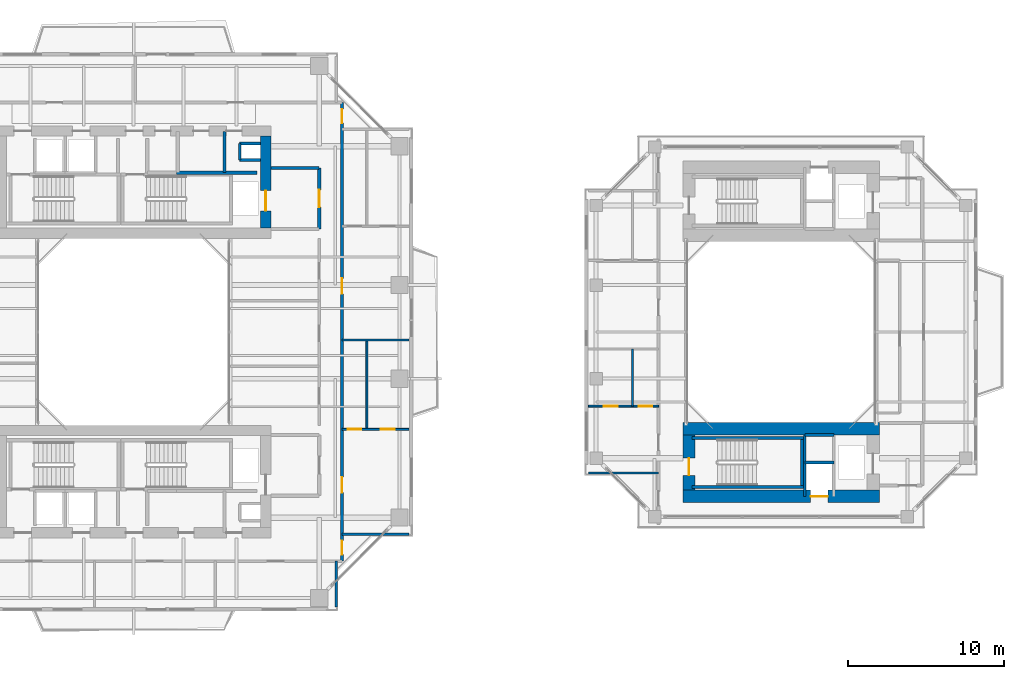
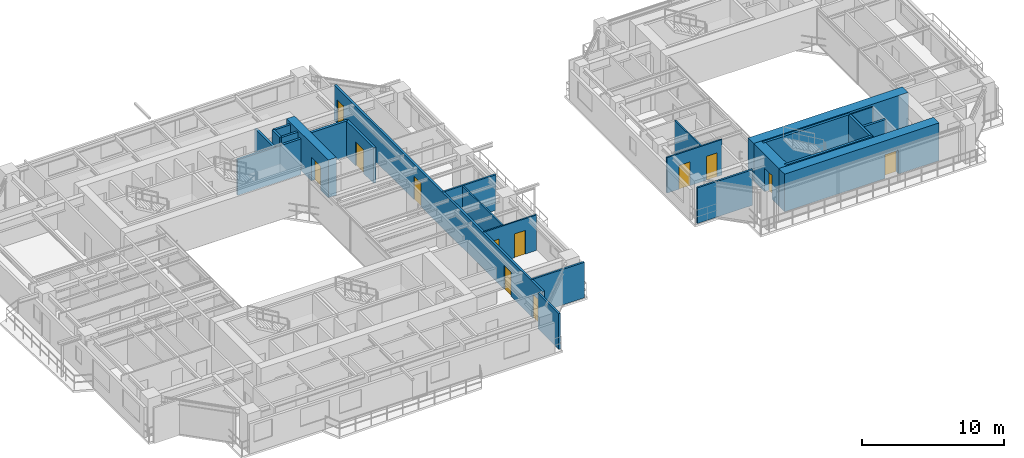
# One storey, part 17 of 24: 26 walls, 12 doors, 12 openings.
"""IFC4 building model written with IfcOpenShell, lengths in metres."""

from ifc_helpers import new_model, si_unit, direction, frame, frame_2d, origin, place, context, subcontext, project, spatial, rectangle, extrude, source, transform, mapped, material, layer, layer_set, type_object, element, fill, save


model = new_model("IFC4")

# Units and contexts
model_context = context("Model", 3, precision=1e-05, world=origin(), true_north=direction((0.0, 1.0)))
body_context = subcontext(model_context, "Body", "Model", "MODEL_VIEW")
ifc_project = project(units=[si_unit("LENGTHUNIT", "METRE"), si_unit("AREAUNIT", "SQUARE_METRE"), si_unit("VOLUMEUNIT", "CUBIC_METRE"), si_unit("PLANEANGLEUNIT", "RADIAN"), si_unit("MASSUNIT", "GRAM", prefix="KILO"), si_unit("THERMODYNAMICTEMPERATUREUNIT", "KELVIN"), si_unit("POWERUNIT", "WATT")], contexts=[model_context])

# Site, building, storey
site_placement = place(None, origin())
site = spatial("IfcSite", under=ifc_project, at=site_placement, CompositionType="ELEMENT")
building_placement = place(site_placement, origin())
building = spatial("IfcBuilding", under=site, at=building_placement, Name="Qiaomeng Ring Towers", CompositionType="ELEMENT")
storey_placement = place(building_placement, frame((0.0, 0.0, 106.75)))
storey = spatial("IfcBuildingStorey", under=building, at=storey_placement, Name="L30", CompositionType="ELEMENT", Elevation=106.75)

# Wall
ifc_material_1 = material(Name="Autoclaved aerated concrete block", Category="concrete")
ifc_layer_1 = layer(ifc_material_1, 0.199951171875, Name="Autoclaved aerated concrete block")
ifc_layer_set_1 = layer_set([ifc_layer_1], Name="Autoclaved aerated concrete block")
wall_type_1 = type_object("IfcWallType", Name="ARC-WL-PW1", PredefinedType="PARTITIONING", material=ifc_layer_set_1)
wall_1_placement = place(storey_placement, frame((27.800048828125, 33.5, 0.0), z_axis=(0.0, 0.0, 1.0), x_axis=(1.0, 0.0, 0.0)))
element("IfcWall", 1, at=wall_1_placement, inside=storey, type_object=wall_type_1, Name="L30 Interior Wall PW1", PredefinedType="PARTITIONING", context=body_context, shape_type="SweptSolid", body=[
    extrude(rectangle(XDim=3.099853515625, YDim=0.199951171875, at=frame_2d((1.5498046875, 0.0))), origin(), (0.0, 0.0, 1.0), 3.070068359375),
])

# Wall, opening, door
wall_2_placement = place(storey_placement, frame((30.89990234375, 29.60009765625, 0.0), z_axis=(0.0, 0.0, 1.0), x_axis=(0.0, 1.0, 0.0)))
wall_2 = element("IfcWall", 2, at=wall_2_placement, inside=storey, type_object=wall_type_1, Name="L30 Interior Wall PW1", PredefinedType="PARTITIONING", context=body_context, shape_type="SweptSolid", body=[
    extrude(rectangle(XDim=3.89990234375, YDim=0.199951171875, at=frame_2d((1.949951171875, 0.0))), origin(), (0.0, 0.0, 1.0), 3.070068359375),
])
opening_1_placement = place(wall_2_placement, frame((1.39990234375, 0.0, 0.0)))
opening_1 = element("IfcOpeningElement", 3, at=opening_1_placement, cuts=wall_2, Name="Opening FD3", PredefinedType="OPENING", context=body_context, shape_type="SweptSolid", body=[
    extrude(rectangle(XDim=1.10009765625, YDim=2.050048828125, at=frame_2d((0.550048828125, 1.02490234375))), frame((0.0, 0.10986328125, 0.0), z_axis=(0.0, -1.0, 0.0), x_axis=(1.0, 0.0, 0.0)), (0.0, 0.0, 1.0), 0.219970703125),
])
ifc_material_2 = material(Name="Galvanised steel", Category="steel")
door_type_1 = type_object("IfcDoorType", Name="ARC-DR-FD3", OperationType="NOTDEFINED", PredefinedType="DOOR", material=ifc_material_2)
shared_shape_1 = source(origin(), body_context, "Body", "SweptSolid", [
    extrude(rectangle(XDim=1.10009765625, YDim=2.050048828125, at=frame_2d((0.550048828125, 1.02490234375))), frame((0.0, 0.02490234375, 0.0), z_axis=(0.0, -1.0, 0.0), x_axis=(1.0, 0.0, 0.0)), (0.0, 0.0, 1.0), 0.050048828125),
])
door_1_placement = place(opening_1_placement, origin())
door_1 = element("IfcDoor", 4, at=door_1_placement, inside=storey, type_object=door_type_1, Name="L30 North FF Lobby Door", OperationType="SINGLE_SWING_LEFT", OverallHeight=2.050048828125, OverallWidth=1.10009765625, PredefinedType="DOOR", context=body_context, shape_type="MappedRepresentation", body=[
    mapped(shared_shape_1, transform((0.0, 0.0, 0.0), x_axis=(1.0, 0.0, 0.0), y_axis=(0.0, 1.0, 0.0), z_axis=(0.0, 0.0, 1.0), scale=1.0)),
])
fill(opening_1, door_1)

# Walls
wall_3_placement = place(storey_placement, frame((24.820068359375, 33.199951171875, 0.0), z_axis=(0.0, 0.0, 1.0), x_axis=(0.0, 1.0, 0.0)))
element("IfcWall", 5, at=wall_3_placement, inside=storey, type_object=wall_type_1, Name="L30 Interior Wall PW1", PredefinedType="PARTITIONING", context=body_context, shape_type="SweptSolid", body=[
    extrude(rectangle(XDim=2.650146484375, YDim=0.199951171875, at=frame_2d((1.3251953125, 0.0))), origin(), (0.0, 0.0, 1.0), 3.070068359375),
])
wall_4_placement = place(storey_placement, frame((21.75, 33.199951171875, 0.0), z_axis=(0.0, 0.0, 1.0), x_axis=(1.0, 0.0, 0.0)))
element("IfcWall", 6, at=wall_4_placement, inside=storey, type_object=wall_type_1, Name="L30 Interior Wall PW1", PredefinedType="PARTITIONING", context=body_context, shape_type="SweptSolid", body=[
    extrude(rectangle(XDim=5.169921875, YDim=0.199951171875, at=frame_2d((2.5849609375, 0.0))), origin(), (0.0, 0.0, 1.0), 3.070068359375),
])

# Wall, openings, doors
ifc_layer_2 = layer(ifc_material_1, 0.179931640625, Name="Autoclaved aerated concrete block")
ifc_layer_set_2 = layer_set([ifc_layer_2], Name="Autoclaved aerated concrete block")
wall_type_2 = type_object("IfcWallType", Name="ARC-WL-PW2", PredefinedType="PARTITIONING", material=ifc_layer_set_2)
wall_5_placement = place(storey_placement, frame((32.360107421875, 8.300048828125, 0.0), z_axis=(0.0, 0.0, 1.0), x_axis=(0.0, 1.0, 0.0)))
wall_5 = element("IfcWall", 7, at=wall_5_placement, inside=storey, type_object=wall_type_2, Name="L30 Interior Wall PW2", PredefinedType="PARTITIONING", context=body_context, shape_type="SweptSolid", body=[
    extrude(rectangle(XDim=29.39990234375, YDim=0.179931640625, at=frame_2d((14.699951171875, 0.0))), origin(), (0.0, 0.0, 1.0), 3.070068359375),
])
opening_2_placement = place(wall_5_placement, frame((28.080078125, 0.0, 0.0)))
opening_2 = element("IfcOpeningElement", 8, at=opening_2_placement, cuts=wall_5, Name="Opening ID1", PredefinedType="OPENING", context=body_context, shape_type="SweptSolid", body=[
    extrude(rectangle(XDim=0.89990234375, YDim=2.050048828125, at=frame_2d((0.449951171875, 1.02490234375))), frame((0.0, 0.099853515625, 0.0), z_axis=(0.0, -1.0, 0.0), x_axis=(1.0, 0.0, 0.0)), (0.0, 0.0, 1.0), 0.199951171875),
])
opening_3_placement = place(wall_5_placement, frame((0.419921875, 0.0, 0.0)))
opening_3 = element("IfcOpeningElement", 9, at=opening_3_placement, cuts=wall_5, Name="Opening ID1", PredefinedType="OPENING", context=body_context, shape_type="SweptSolid", body=[
    extrude(rectangle(XDim=0.89990234375, YDim=2.050048828125, at=frame_2d((0.449951171875, 1.02490234375))), frame((0.0, 0.099853515625, 0.0), z_axis=(0.0, -1.0, 0.0), x_axis=(1.0, 0.0, 0.0)), (0.0, 0.0, 1.0), 0.199951171875),
])
opening_4_placement = place(wall_5_placement, frame((4.39501953125, 0.0, 0.0)))
opening_4 = element("IfcOpeningElement", 10, at=opening_4_placement, cuts=wall_5, Name="Opening FD4", PredefinedType="OPENING", context=body_context, shape_type="SweptSolid", body=[
    extrude(rectangle(XDim=1.0, YDim=2.050048828125, at=frame_2d((0.5, 1.02490234375))), frame((0.0, 0.099853515625, 0.0), z_axis=(0.0, -1.0, 0.0), x_axis=(1.0, 0.0, 0.0)), (0.0, 0.0, 1.0), 0.199951171875),
])
opening_5_placement = place(wall_5_placement, frame((17.135009765625, 0.0, 0.0)))
opening_5 = element("IfcOpeningElement", 11, at=opening_5_placement, cuts=wall_5, Name="Opening FD4", PredefinedType="OPENING", context=body_context, shape_type="SweptSolid", body=[
    extrude(rectangle(XDim=1.0, YDim=2.050048828125, at=frame_2d((0.5, 1.02490234375))), frame((0.0, 0.099853515625, 0.0), z_axis=(0.0, -1.0, 0.0), x_axis=(1.0, 0.0, 0.0)), (0.0, 0.0, 1.0), 0.199951171875),
])
ifc_material_3 = material(Name="Engineered fire-rated oak timber", Category="wood")
door_type_2 = type_object("IfcDoorType", Name="ARC-DR-FD4", OperationType="NOTDEFINED", PredefinedType="DOOR", material=ifc_material_3)
shared_shape_2 = source(origin(), body_context, "Body", "SweptSolid", [
    extrude(rectangle(XDim=1.0, YDim=2.050048828125, at=frame_2d((0.5, 1.02490234375))), frame((0.0, 0.02490234375, 0.0), z_axis=(0.0, -1.0, 0.0), x_axis=(1.0, 0.0, 0.0)), (0.0, 0.0, 1.0), 0.050048828125),
])
door_2_placement = place(opening_4_placement, origin())
door_2 = element("IfcDoor", 12, at=door_2_placement, inside=storey, type_object=door_type_2, Name="L30 Door FD4", OperationType="SINGLE_SWING_RIGHT", OverallHeight=2.050048828125, OverallWidth=1.0, PredefinedType="DOOR", context=body_context, shape_type="MappedRepresentation", body=[
    mapped(shared_shape_2, transform((0.0, 0.0, 0.0), x_axis=(1.0, 0.0, 0.0), y_axis=(0.0, 1.0, 0.0), z_axis=(0.0, 0.0, 1.0), scale=1.0)),
])
fill(opening_4, door_2)
door_3_placement = place(opening_5_placement, origin())
door_3 = element("IfcDoor", 13, at=door_3_placement, inside=storey, type_object=door_type_2, Name="L30 Door FD4", OperationType="SINGLE_SWING_LEFT", OverallHeight=2.050048828125, OverallWidth=1.0, PredefinedType="DOOR", context=body_context, shape_type="MappedRepresentation", body=[
    mapped(shared_shape_2, transform((0.0, 0.0, 0.0), x_axis=(1.0, 0.0, 0.0), y_axis=(0.0, 1.0, 0.0), z_axis=(0.0, 0.0, 1.0), scale=1.0)),
])
fill(opening_5, door_3)
ifc_material_4 = material(Name="Engineered oak timber", Category="wood")
door_type_3 = type_object("IfcDoorType", Name="ARC-DR-ID1", OperationType="NOTDEFINED", PredefinedType="DOOR", material=ifc_material_4)
shared_shape_3 = source(origin(), body_context, "Body", "SweptSolid", [
    extrude(rectangle(XDim=0.89990234375, YDim=2.050048828125, at=frame_2d((0.449951171875, 1.02490234375))), frame((0.0, 0.02490234375, 0.0), z_axis=(0.0, -1.0, 0.0), x_axis=(1.0, 0.0, 0.0)), (0.0, 0.0, 1.0), 0.050048828125),
])
door_4_placement = place(opening_2_placement, origin())
door_4 = element("IfcDoor", 14, at=door_4_placement, inside=storey, type_object=door_type_3, Name="L30 Door ID1", OperationType="SINGLE_SWING_RIGHT", OverallHeight=2.050048828125, OverallWidth=0.89990234375, PredefinedType="DOOR", context=body_context, shape_type="MappedRepresentation", body=[
    mapped(shared_shape_3, transform((0.0, 0.0, 0.0), x_axis=(1.0, 0.0, 0.0), y_axis=(0.0, 1.0, 0.0), z_axis=(0.0, 0.0, 1.0), scale=1.0)),
])
fill(opening_2, door_4)
door_5_placement = place(opening_3_placement, origin())
door_5 = element("IfcDoor", 15, at=door_5_placement, inside=storey, type_object=door_type_3, Name="L30 Door ID1", OperationType="SINGLE_SWING_LEFT", OverallHeight=2.050048828125, OverallWidth=0.89990234375, PredefinedType="DOOR", context=body_context, shape_type="MappedRepresentation", body=[
    mapped(shared_shape_3, transform((0.0, 0.0, 0.0), x_axis=(1.0, 0.0, 0.0), y_axis=(0.0, 1.0, 0.0), z_axis=(0.0, 0.0, 1.0), scale=1.0)),
])
fill(opening_3, door_5)

# Walls
ifc_material_5 = material(Name="Gypsum fireboard steel-stud partition", Category="steel")
ifc_layer_3 = layer(ifc_material_5, 0.14990234375, Name="Gypsum fireboard steel-stud partition")
ifc_layer_set_3 = layer_set([ifc_layer_3], Name="Gypsum fireboard steel-stud partition")
wall_type_3 = type_object("IfcWallType", Name="ARC-WL-PW3", PredefinedType="PARTITIONING", material=ifc_layer_set_3)
wall_6_placement = place(storey_placement, frame((31.97998046875, 5.35009765625, 0.0), z_axis=(0.0, 0.0, 1.0), x_axis=(0.0, 1.0, 0.0)))
element("IfcWall", 16, at=wall_6_placement, inside=storey, type_object=wall_type_3, Name="L30 Interior Wall PW3", PredefinedType="PARTITIONING", context=body_context, shape_type="SweptSolid", body=[
    extrude(rectangle(XDim=2.949951171875, YDim=0.14990234375, at=frame_2d((1.47509765625, 0.0))), origin(), (0.0, 0.0, 1.0), 3.070068359375),
])
for number, where, z_axis, x_axis, name in (
    (17, (32.360107421875, 10.02001953125, 0.0), (0.0, 0.0, 1.0), (1.0, 0.0, 0.0), "L30 Interior Wall PW3"),
    (18, (32.360107421875, 22.47998046875, 0.0), (0.0, 0.0, 1.0), (1.0, 0.0, 0.0), "L30 Interior Wall PW3"),
):
    element("IfcWall", number, at=place(storey_placement, frame(where, z_axis=z_axis, x_axis=x_axis)), inside=storey, type_object=wall_type_3, Name=name, PredefinedType="PARTITIONING", context=body_context, shape_type="SweptSolid", body=[
        extrude(rectangle(XDim=4.289794921875, YDim=0.14990234375, at=frame_2d((2.14501953125, 0.0))), origin(), (0.0, 0.0, 1.0), 3.070068359375),
    ])
wall_7_placement = place(storey_placement, frame((48.14990234375, 13.949951171875, 0.0), z_axis=(0.0, 0.0, 1.0), x_axis=(1.0, 0.0, 0.0)))
element("IfcWall", 19, at=wall_7_placement, inside=storey, type_object=wall_type_3, Name="L30 Interior Wall PW3", PredefinedType="PARTITIONING", context=body_context, shape_type="SweptSolid", body=[
    extrude(rectangle(XDim=4.5, YDim=0.14990234375, at=frame_2d((2.25, 0.0))), origin(), (0.0, 0.0, 1.0), 3.070068359375),
])

# Wall, openings, doors
ifc_material_6 = material(Name="Moisture-resistant gypsum steel-stud partition", Category="steel")
ifc_layer_4 = layer(ifc_material_6, 0.1201171875, Name="Moisture-resistant gypsum steel-stud partition")
ifc_layer_set_4 = layer_set([ifc_layer_4], Name="Moisture-resistant gypsum steel-stud partition")
wall_type_4 = type_object("IfcWallType", Name="ARC-WL-PW4", PredefinedType="PLUMBINGWALL", material=ifc_layer_set_4)
wall_8_placement = place(storey_placement, frame((32.360107421875, 16.75, 0.0), z_axis=(0.0, 0.0, 1.0), x_axis=(1.0, 0.0, 0.0)))
wall_8 = element("IfcWall", 20, at=wall_8_placement, inside=storey, type_object=wall_type_4, Name="L30 Interior Wall PW4", PredefinedType="PLUMBINGWALL", context=body_context, shape_type="SweptSolid", body=[
    extrude(rectangle(XDim=4.289794921875, YDim=0.1201171875, at=frame_2d((2.14501953125, 0.0))), origin(), (0.0, 0.0, 1.0), 3.070068359375),
])
opening_6_placement = place(wall_8_placement, frame((0.3798828125, 0.0, 0.0)))
opening_6 = element("IfcOpeningElement", 21, at=opening_6_placement, cuts=wall_8, Name="Opening ID2", PredefinedType="OPENING", context=body_context, shape_type="SweptSolid", body=[
    extrude(rectangle(XDim=0.85009765625, YDim=2.050048828125, at=frame_2d((0.425048828125, 1.02490234375))), frame((0.0, 0.070068359375, 0.0), z_axis=(0.0, -1.0, 0.0), x_axis=(1.0, 0.0, 0.0)), (0.0, 0.0, 1.0), 0.14013671875),
])
opening_7_placement = place(wall_8_placement, frame((2.47998046875, 0.0, 0.0)))
opening_7 = element("IfcOpeningElement", 22, at=opening_7_placement, cuts=wall_8, Name="Opening ID1", PredefinedType="OPENING", context=body_context, shape_type="SweptSolid", body=[
    extrude(rectangle(XDim=0.89990234375, YDim=2.050048828125, at=frame_2d((0.449951171875, 1.02490234375))), frame((0.0, 0.070068359375, 0.0), z_axis=(0.0, -1.0, 0.0), x_axis=(1.0, 0.0, 0.0)), (0.0, 0.0, 1.0), 0.14013671875),
])
ifc_material_7 = material(Name="Moisture-resistant engineered timber", Category="wood")
door_type_4 = type_object("IfcDoorType", Name="ARC-DR-ID2", OperationType="NOTDEFINED", PredefinedType="DOOR", material=ifc_material_7)
shared_shape_4 = source(origin(), body_context, "Body", "SweptSolid", [
    extrude(rectangle(XDim=0.85009765625, YDim=2.050048828125, at=frame_2d((0.425048828125, 1.02490234375))), frame((0.0, 0.02490234375, 0.0), z_axis=(0.0, -1.0, 0.0), x_axis=(1.0, 0.0, 0.0)), (0.0, 0.0, 1.0), 0.050048828125),
])
door_6_placement = place(opening_6_placement, origin())
door_6 = element("IfcDoor", 23, at=door_6_placement, inside=storey, type_object=door_type_4, Name="L30 Door ID2", OperationType="SINGLE_SWING_RIGHT", OverallHeight=2.050048828125, OverallWidth=0.85009765625, PredefinedType="DOOR", context=body_context, shape_type="MappedRepresentation", body=[
    mapped(shared_shape_4, transform((0.0, 0.0, 0.0), x_axis=(1.0, 0.0, 0.0), y_axis=(0.0, 1.0, 0.0), z_axis=(0.0, 0.0, 1.0), scale=1.0)),
])
fill(opening_6, door_6)
door_7_placement = place(opening_7_placement, origin())
door_7 = element("IfcDoor", 24, at=door_7_placement, inside=storey, type_object=door_type_3, Name="L30 Door ID1", OperationType="SINGLE_SWING_LEFT", OverallHeight=2.050048828125, OverallWidth=0.89990234375, PredefinedType="DOOR", context=body_context, shape_type="MappedRepresentation", body=[
    mapped(shared_shape_3, transform((0.0, 0.0, 0.0), x_axis=(1.0, 0.0, 0.0), y_axis=(0.0, 1.0, 0.0), z_axis=(0.0, 0.0, 1.0), scale=1.0)),
])
fill(opening_7, door_7)

# Wall
wall_9_placement = place(storey_placement, frame((33.949951171875, 16.75, 0.0), z_axis=(0.0, 0.0, 1.0), x_axis=(0.0, 1.0, 0.0)))
element("IfcWall", 25, at=wall_9_placement, inside=storey, type_object=wall_type_4, Name="L30 Interior Wall PW4", PredefinedType="PLUMBINGWALL", context=body_context, shape_type="SweptSolid", body=[
    extrude(rectangle(XDim=5.72998046875, YDim=0.1201171875, at=frame_2d((2.864990234375, 0.0))), origin(), (0.0, 0.0, 1.0), 3.070068359375),
])

# Wall, openings, doors
wall_10_placement = place(storey_placement, frame((48.14990234375, 18.239990234375, 0.0), z_axis=(0.0, 0.0, 1.0), x_axis=(1.0, 0.0, 0.0)))
wall_10 = element("IfcWall", 26, at=wall_10_placement, inside=storey, type_object=wall_type_4, Name="L30 Interior Wall PW4", PredefinedType="PLUMBINGWALL", context=body_context, shape_type="SweptSolid", body=[
    extrude(rectangle(XDim=4.5, YDim=0.1201171875, at=frame_2d((2.25, 0.0))), origin(), (0.0, 0.0, 1.0), 3.070068359375),
])
opening_8_placement = place(wall_10_placement, frame((0.97509765625, 0.0, 0.0)))
opening_8 = element("IfcOpeningElement", 27, at=opening_8_placement, cuts=wall_10, Name="Opening ID1", PredefinedType="OPENING", context=body_context, shape_type="SweptSolid", body=[
    extrude(rectangle(XDim=0.89990234375, YDim=2.050048828125, at=frame_2d((0.449951171875, 1.02490234375))), frame((0.0, 0.070068359375, 0.0), z_axis=(0.0, -1.0, 0.0), x_axis=(1.0, 0.0, 0.0)), (0.0, 0.0, 1.0), 0.14013671875),
])
opening_9_placement = place(wall_10_placement, frame((3.22998046875, 0.0, 0.0)))
opening_9 = element("IfcOpeningElement", 28, at=opening_9_placement, cuts=wall_10, Name="Opening ID2", PredefinedType="OPENING", context=body_context, shape_type="SweptSolid", body=[
    extrude(rectangle(XDim=0.85009765625, YDim=2.050048828125, at=frame_2d((0.425048828125, 1.02490234375))), frame((0.0, 0.070068359375, 0.0), z_axis=(0.0, -1.0, 0.0), x_axis=(1.0, 0.0, 0.0)), (0.0, 0.0, 1.0), 0.14013671875),
])
door_8_placement = place(opening_9_placement, origin())
door_8 = element("IfcDoor", 29, at=door_8_placement, inside=storey, type_object=door_type_4, Name="L30 Door ID2", OperationType="SINGLE_SWING_RIGHT", OverallHeight=2.050048828125, OverallWidth=0.85009765625, PredefinedType="DOOR", context=body_context, shape_type="MappedRepresentation", body=[
    mapped(shared_shape_4, transform((0.0, 0.0, 0.0), x_axis=(1.0, 0.0, 0.0), y_axis=(0.0, 1.0, 0.0), z_axis=(0.0, 0.0, 1.0), scale=1.0)),
])
fill(opening_9, door_8)
door_9_placement = place(opening_8_placement, origin())
door_9 = element("IfcDoor", 30, at=door_9_placement, inside=storey, type_object=door_type_3, Name="L30 Door ID1", OperationType="SINGLE_SWING_LEFT", OverallHeight=2.050048828125, OverallWidth=0.89990234375, PredefinedType="DOOR", context=body_context, shape_type="MappedRepresentation", body=[
    mapped(shared_shape_3, transform((0.0, 0.0, 0.0), x_axis=(1.0, 0.0, 0.0), y_axis=(0.0, 1.0, 0.0), z_axis=(0.0, 0.0, 1.0), scale=1.0)),
])
fill(opening_8, door_9)

# Walls
wall_11_placement = place(storey_placement, frame((50.97998046875, 18.239990234375, 0.0), z_axis=(0.0, 0.0, 1.0), x_axis=(0.0, 1.0, 0.0)))
element("IfcWall", 31, at=wall_11_placement, inside=storey, type_object=wall_type_4, Name="L30 Interior Wall PW4", PredefinedType="PLUMBINGWALL", context=body_context, shape_type="SweptSolid", body=[
    extrude(rectangle(XDim=3.659912109375, YDim=0.1201171875, at=frame_2d((1.830078125, 0.0))), origin(), (0.0, 0.0, 1.0), 3.070068359375),
])
ifc_material_8 = material(Name="Concrete C40", Category="concrete")
ifc_layer_5 = layer(ifc_material_8, 0.199951171875, Name="Concrete C40")
ifc_layer_set_5 = layer_set([ifc_layer_5], Name="Concrete C40")
wall_type_5 = type_object("IfcWallType", Name="STR-WL-STSHAFT", PredefinedType="SHEAR", material=ifc_layer_set_5)
wall_12_placement = place(storey_placement, frame((25.800048828125, 34.02001953125, 0.0), z_axis=(0.0, 0.0, 1.0), x_axis=(0.0, 1.0, 0.0)))
element("IfcWall", 32, at=wall_12_placement, inside=storey, type_object=wall_type_5, Name="L30 Riser RSR1 West Shaft Wall N", PredefinedType="SHEAR", context=body_context, shape_type="SweptSolid", body=[
    extrude(rectangle(XDim=1.06005859375, YDim=0.179931640625, at=frame_2d((0.530029296875, 0.0))), origin(), (0.0, 0.0, 1.0), 3.070068359375),
])
for number, where, z_axis, x_axis, name in (
    (33, (25.800048828125, 35.080078125, 0.0), (0.0, 0.0, 1.0), (1.0, 0.0, 0.0), "L30 Riser RSR1 North Shaft Wall N"),
    (34, (25.800048828125, 34.02001953125, 0.0), (0.0, 0.0, 1.0), (1.0, 0.0, 0.0), "L30 Riser RSR1 South Shaft Wall N"),
):
    element("IfcWall", number, at=place(storey_placement, frame(where, z_axis=z_axis, x_axis=x_axis)), inside=storey, type_object=wall_type_5, Name=name, PredefinedType="SHEAR", context=body_context, shape_type="SweptSolid", body=[
        extrude(rectangle(XDim=1.349853515625, YDim=0.179931640625, at=frame_2d((0.6748046875, 0.0))), origin(), (0.0, 0.0, 1.0), 3.070068359375),
    ])
wall_13_placement = place(storey_placement, frame((62.02001953125, 12.449951171875, 0.0), z_axis=(0.0, 0.0, 1.0), x_axis=(0.0, 1.0, 0.0)))
element("IfcWall", 35, at=wall_13_placement, inside=storey, type_object=wall_type_5, Name="L30 Companion Lift Shaft West Wall S", PredefinedType="SHEAR", context=body_context, shape_type="SweptSolid", body=[
    extrude(rectangle(XDim=3.949951171875, YDim=0.179931640625, at=frame_2d((1.97509765625, 0.0))), origin(), (0.0, 0.0, 1.0), 3.070068359375),
])
for number, where, z_axis, x_axis, name in (
    (36, (62.02001953125, 14.6201171875, 0.0), (0.0, 0.0, 1.0), (1.0, 0.0, 0.0), "L30 Companion Lift Shaft Divider Wall S"),
    (37, (62.02001953125, 16.39990234375, 0.0), (0.0, 0.0, 1.0), (1.0, 0.0, 0.0), "L30 Companion Riser Shaft Back Wall S"),
):
    element("IfcWall", number, at=place(storey_placement, frame(where, z_axis=z_axis, x_axis=x_axis)), inside=storey, type_object=wall_type_5, Name=name, PredefinedType="SHEAR", context=body_context, shape_type="SweptSolid", body=[
        extrude(rectangle(XDim=1.85986328125, YDim=0.179931640625, at=frame_2d((0.929931640625, 0.0))), origin(), (0.0, 0.0, 1.0), 3.070068359375),
    ])
for number, where, z_axis, x_axis, name in (
    (38, (54.800048828125, 13.06005859375, 0.0), (0.0, 0.0, 1.0), (1.0, 0.0, 0.0), "L30 Stair ST6 South Shaft Shear Wall"),
    (39, (54.800048828125, 16.199951171875, 0.0), (0.0, 0.0, 1.0), (1.0, 0.0, 0.0), "L30 Stair ST6 North Shaft Shear Wall"),
):
    element("IfcWall", number, at=place(storey_placement, frame(where, z_axis=z_axis, x_axis=x_axis)), inside=storey, type_object=wall_type_5, Name=name, PredefinedType="SHEAR", context=body_context, shape_type="SweptSolid", body=[
        extrude(rectangle(XDim=7.14990234375, YDim=0.199951171875, at=frame_2d((3.574951171875, 0.0))), origin(), (0.0, 0.0, 1.0), 3.25),
    ])
wall_14_placement = place(storey_placement, frame((61.85009765625, 13.159912109375, 0.0), z_axis=(0.0, 0.0, 1.0), x_axis=(0.0, 1.0, 0.0)))
element("IfcWall", 40, at=wall_14_placement, inside=storey, type_object=wall_type_5, Name="L30 Stair ST6 East Shaft Shear Wall", PredefinedType="SHEAR", context=body_context, shape_type="SweptSolid", body=[
    extrude(rectangle(XDim=2.940185546875, YDim=0.199951171875, at=frame_2d((1.47021484375, 0.0))), origin(), (0.0, 0.0, 1.0), 3.25),
])

# Wall, opening, door
ifc_material_9 = material(Name="Concrete C60", Category="concrete")
ifc_layer_6 = layer(ifc_material_9, 0.800048828125, Name="Concrete C60")
ifc_layer_set_6 = layer_set([ifc_layer_6], Name="Concrete C60")
wall_type_6 = type_object("IfcWallType", Name="STR-WL-SW1", PredefinedType="SHEAR", material=ifc_layer_set_6)
wall_15_placement = place(storey_placement, frame((54.199951171875, 12.449951171875, 0.0), z_axis=(0.0, 0.0, 1.0), x_axis=(1.0, 0.0, 0.0)))
wall_15 = element("IfcWall", 41, at=wall_15_placement, inside=storey, type_object=wall_type_6, Name="L30 T2SC south core shear wall", PredefinedType="SHEAR", context=body_context, shape_type="SweptSolid", body=[
    extrude(rectangle(XDim=12.60009765625, YDim=0.800048828125, at=frame_2d((6.300048828125, 0.0))), origin(), (0.0, 0.0, 1.0), 3.25),
])
opening_10_placement = place(wall_15_placement, frame((8.199951171875, 0.0, 0.0)))
opening_10 = element("IfcOpeningElement", 42, at=opening_10_placement, cuts=wall_15, Name="Opening LD1", PredefinedType="OPENING", context=body_context, shape_type="SweptSolid", body=[
    extrude(rectangle(XDim=1.10009765625, YDim=2.050048828125, at=frame_2d((0.550048828125, 1.02490234375))), frame((0.0, 0.409912109375, 0.0), z_axis=(0.0, -1.0, 0.0), x_axis=(1.0, 0.0, 0.0)), (0.0, 0.0, 1.0), 0.820068359375),
])
ifc_material_10 = material(Name="Stainless steel 316", Category="steel")
door_type_5 = type_object("IfcDoorType", Name="ARC-DR-LD1", OperationType="NOTDEFINED", PredefinedType="DOOR", material=ifc_material_10)
door_10_placement = place(opening_10_placement, origin())
door_10 = element("IfcDoor", 43, at=door_10_placement, inside=storey, type_object=door_type_5, Name="L30 Companion Lift LP8 Landing Door", OperationType="SLIDING_TO_RIGHT", OverallHeight=2.050048828125, OverallWidth=1.10009765625, PredefinedType="DOOR", context=body_context, shape_type="MappedRepresentation", body=[
    mapped(shared_shape_1, transform((0.0, 0.0, 0.0), x_axis=(1.0, 0.0, 0.0), y_axis=(0.0, 1.0, 0.0), z_axis=(0.0, 0.0, 1.0), scale=1.0)),
])
fill(opening_10, door_10)

# Wall
wall_16_placement = place(storey_placement, frame((54.199951171875, 16.800048828125, 0.0), z_axis=(0.0, 0.0, 1.0), x_axis=(1.0, 0.0, 0.0)))
element("IfcWall", 44, at=wall_16_placement, inside=storey, type_object=wall_type_6, Name="L30 T2SC north core shear wall", PredefinedType="SHEAR", context=body_context, shape_type="SweptSolid", body=[
    extrude(rectangle(XDim=12.60009765625, YDim=0.800048828125, at=frame_2d((6.300048828125, 0.0))), origin(), (0.0, 0.0, 1.0), 3.25),
])

# Wall, opening, door
wall_17_placement = place(storey_placement, frame((54.60009765625, 12.85009765625, 0.0), z_axis=(0.0, 0.0, 1.0), x_axis=(0.0, 1.0, 0.0)))
wall_17 = element("IfcWall", 45, at=wall_17_placement, inside=storey, type_object=wall_type_6, Name="L30 T2SC west core shear wall", PredefinedType="SHEAR", context=body_context, shape_type="SweptSolid", body=[
    extrude(rectangle(XDim=3.5498046875, YDim=0.800048828125, at=frame_2d((1.77490234375, 0.0))), origin(), (0.0, 0.0, 1.0), 3.25),
])
opening_11_placement = place(wall_17_placement, frame((0.949951171875, 0.0, 0.0)))
opening_11 = element("IfcOpeningElement", 46, at=opening_11_placement, cuts=wall_17, Name="Opening FD3", PredefinedType="OPENING", context=body_context, shape_type="SweptSolid", body=[
    extrude(rectangle(XDim=1.10009765625, YDim=2.050048828125, at=frame_2d((0.550048828125, 1.02490234375))), frame((0.0, 0.409912109375, 0.0), z_axis=(0.0, -1.0, 0.0), x_axis=(1.0, 0.0, 0.0)), (0.0, 0.0, 1.0), 0.820068359375),
])
door_11_placement = place(opening_11_placement, origin())
door_11 = element("IfcDoor", 47, at=door_11_placement, inside=storey, type_object=door_type_1, Name="L30 Stair ST6 Exit Door", OperationType="SINGLE_SWING_RIGHT", OverallHeight=2.050048828125, OverallWidth=1.10009765625, PredefinedType="DOOR", context=body_context, shape_type="MappedRepresentation", body=[
    mapped(shared_shape_1, transform((0.0, 0.0, 0.0), x_axis=(1.0, 0.0, 0.0), y_axis=(0.0, 1.0, 0.0), z_axis=(0.0, 0.0, 1.0), scale=1.0)),
])
fill(opening_11, door_11)

ifc_material_11 = material(Name="Concrete C55", Category="concrete")
ifc_layer_7 = layer(ifc_material_11, 0.64990234375, Name="Concrete C55")
ifc_layer_set_7 = layer_set([ifc_layer_7], Name="Concrete C55")
wall_type_7 = type_object("IfcWallType", Name="STR-WL-SW2A", PredefinedType="SHEAR", material=ifc_layer_set_7)
wall_18_placement = place(storey_placement, frame((27.47509765625, 29.64990234375, 0.0), z_axis=(0.0, 0.0, 1.0), x_axis=(0.0, 1.0, 0.0)))
wall_18 = element("IfcWall", 48, at=wall_18_placement, inside=storey, type_object=wall_type_7, Name="L30 T1NC east core shear wall", PredefinedType="SHEAR", context=body_context, shape_type="SweptSolid", body=[
    extrude(rectangle(XDim=5.900146484375, YDim=0.64990234375, at=frame_2d((2.9501953125, 0.0))), origin(), (0.0, 0.0, 1.0), 3.25),
])
opening_12_placement = place(wall_18_placement, frame((1.10009765625, 0.0, 0.0)))
opening_12 = element("IfcOpeningElement", 49, at=opening_12_placement, cuts=wall_18, Name="Opening LD2", PredefinedType="OPENING", context=body_context, shape_type="SweptSolid", body=[
    extrude(rectangle(XDim=1.300048828125, YDim=2.050048828125, at=frame_2d((0.64990234375, 1.02490234375))), frame((0.0, 0.3349609375, 0.0), z_axis=(0.0, -1.0, 0.0), x_axis=(1.0, 0.0, 0.0)), (0.0, 0.0, 1.0), 0.669921875),
])
door_type_6 = type_object("IfcDoorType", Name="ARC-DR-LD2", OperationType="NOTDEFINED", PredefinedType="DOOR", material=ifc_material_10)
shared_shape_5 = source(origin(), body_context, "Body", "SweptSolid", [
    extrude(rectangle(XDim=1.300048828125, YDim=2.050048828125, at=frame_2d((0.64990234375, 1.02490234375))), frame((0.0, 0.02490234375, 0.0), z_axis=(0.0, -1.0, 0.0), x_axis=(1.0, 0.0, 0.0)), (0.0, 0.0, 1.0), 0.050048828125),
])
door_12_placement = place(opening_12_placement, origin())
door_12 = element("IfcDoor", 50, at=door_12_placement, inside=storey, type_object=door_type_6, Name="L30 Firefighting Lift FL1 Landing Door", OperationType="SLIDING_TO_LEFT", OverallHeight=2.050048828125, OverallWidth=1.300048828125, PredefinedType="DOOR", context=body_context, shape_type="MappedRepresentation", body=[
    mapped(shared_shape_5, transform((0.0, 0.0, 0.0), x_axis=(1.0, 0.0, 0.0), y_axis=(0.0, 1.0, 0.0), z_axis=(0.0, 0.0, 1.0), scale=1.0)),
])
fill(opening_12, door_12)

save(model, "model.ifc")
